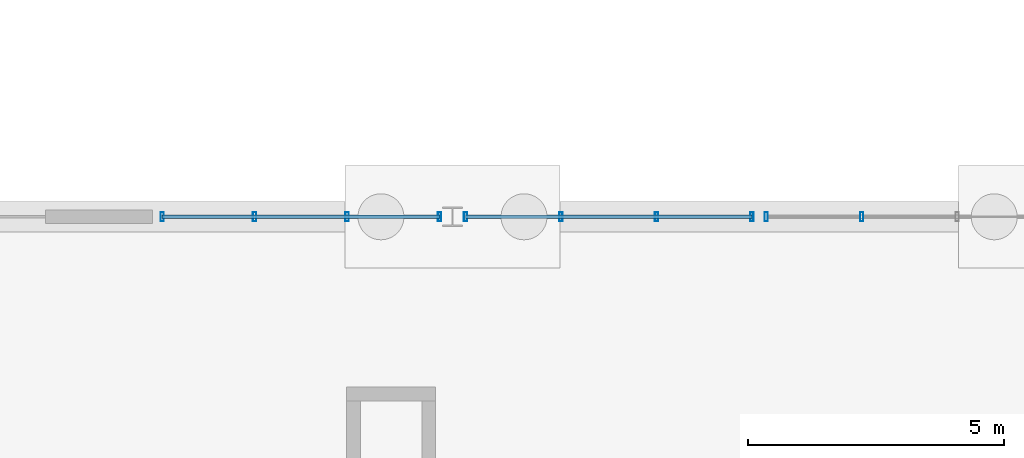
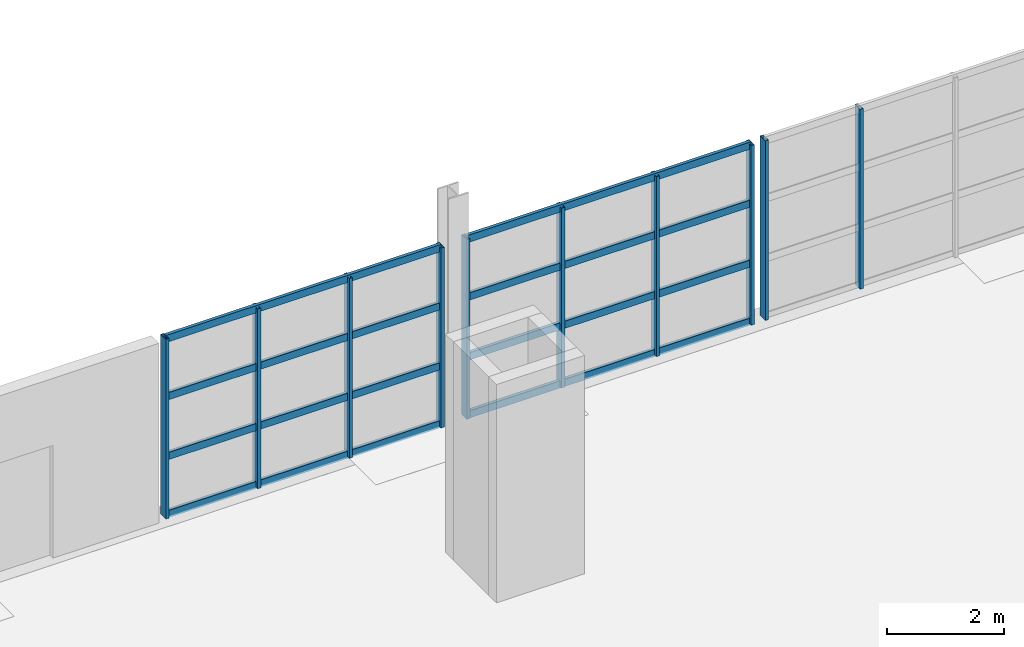
# One storey, part 28 of 82: 18 members, 3 elements without a shape of their own.
"""IFC4 building model written with IfcOpenShell, lengths in metres."""

from ifc_helpers import new_model, si_unit, direction, frame, origin, origin_2d, place, context, subcontext, project, spatial, hollow_rectangle, extrude, material, material_profile, profile_set, type_object, element, aggregate, save


model = new_model("IFC4")

# Units and contexts
model_context = context("Model", 3, precision=1e-05, world=origin(), true_north=direction((0.0, 1.0)))
body_context = subcontext(model_context, "Body", "Model", "MODEL_VIEW")
ifc_project = project(units=[si_unit("LENGTHUNIT", "METRE"), si_unit("AREAUNIT", "SQUARE_METRE"), si_unit("VOLUMEUNIT", "CUBIC_METRE"), si_unit("PLANEANGLEUNIT", "RADIAN"), si_unit("MASSUNIT", "GRAM", prefix="KILO")], contexts=[model_context])

# Site, building, storey
site_placement = place(None, origin())
site = spatial("IfcSite", under=ifc_project, at=site_placement, CompositionType="ELEMENT")
building_placement = place(site_placement, origin())
building = spatial("IfcBuilding", under=site, at=building_placement, Name="Kelmvaro Bay Concert Hall", CompositionType="ELEMENT")
storey_placement = place(building_placement, origin())
storey = spatial("IfcBuildingStorey", under=building, at=storey_placement, Name="L00", CompositionType="ELEMENT", Elevation=0.0)

# Curtain wall, members
ifc_material_1 = material(Name="Anodised Aluminium and Low-E Insulated Glazing", Category="aluminium")
curtain_wall_type = type_object("IfcCurtainWallType", Name="Foyer Ground Hurricane Curtain Wall 4400", PredefinedType="USERDEFINED", material=ifc_material_1)
curtain_wall_1_placement = place(storey_placement, origin())
curtain_wall_1 = element("IfcCurtainWall", 1, at=curtain_wall_1_placement, inside=storey, type_object=curtain_wall_type, Name="Unitised Curtain Wall CW-L00-049", ObjectType="UNITISED GLAZING", PredefinedType="USERDEFINED")
ifc_material_2 = material(Name="Anodised Extruded Aluminium 6063-T6", Category="aluminium")
ifc_material_profile_1 = material_profile(ifc_material_2, hollow_rectangle(XDim=0.06494140625, YDim=0.179931640625, WallThickness=0.00390625, at=origin_2d()), Name="ALU-MUL-180X65")
ifc_profile_set_1 = profile_set([ifc_material_profile_1], Name="Anodised Extruded Aluminium 6063-T6")
member_type_1 = type_object("IfcMemberType", Name="Curtain Mullion ALU 180x65", PredefinedType="MULLION", material=ifc_profile_set_1)
member_1_placement = place(storey_placement, frame((66.320068359375, 39.0, 0.0), z_axis=(0.0, 0.0, 1.0), x_axis=(1.0, 0.0, 0.0)))
member_1 = element("IfcMember", 2, at=member_1_placement, type_object=member_type_1, Name="CW-L00-049 Mullion 01", PredefinedType="MULLION", context=body_context, shape_type="SweptSolid", body=[
    extrude(hollow_rectangle(XDim=0.06494140625, YDim=0.179931640625, WallThickness=0.00390625, at=origin_2d()), origin(), (0.0, 0.0, 1.0), 3.7470703125),
])
member_2_placement = place(storey_placement, frame((68.12841796875, 39.0, 0.0), z_axis=(0.0, 0.0, 1.0), x_axis=(1.0, 0.0, 0.0)))
member_2 = element("IfcMember", 3, at=member_2_placement, type_object=member_type_1, Name="CW-L00-049 Mullion 02", PredefinedType="MULLION", context=body_context, shape_type="SweptSolid", body=[
    extrude(hollow_rectangle(XDim=0.06494140625, YDim=0.179931640625, WallThickness=0.00390625, at=origin_2d()), origin(), (0.0, 0.0, 1.0), 3.7470703125),
])
member_3_placement = place(storey_placement, frame((69.93701171875, 39.0, 0.0), z_axis=(0.0, 0.0, 1.0), x_axis=(1.0, 0.0, 0.0)))
member_3 = element("IfcMember", 4, at=member_3_placement, type_object=member_type_1, Name="CW-L00-049 Mullion 03", PredefinedType="MULLION", context=body_context, shape_type="SweptSolid", body=[
    extrude(hollow_rectangle(XDim=0.06494140625, YDim=0.179931640625, WallThickness=0.00390625, at=origin_2d()), origin(), (0.0, 0.0, 1.0), 3.7470703125),
])
member_4_placement = place(storey_placement, frame((71.74560546875, 39.0, 0.0), z_axis=(0.0, 0.0, 1.0), x_axis=(1.0, 0.0, 0.0)))
member_4 = element("IfcMember", 5, at=member_4_placement, type_object=member_type_1, Name="CW-L00-049 Mullion 04", PredefinedType="MULLION", context=body_context, shape_type="SweptSolid", body=[
    extrude(hollow_rectangle(XDim=0.06494140625, YDim=0.179931640625, WallThickness=0.00390625, at=origin_2d()), origin(), (0.0, 0.0, 1.0), 3.7470703125),
])

curtain_wall_2_placement = place(storey_placement, origin())
curtain_wall_2 = element("IfcCurtainWall", 6, at=curtain_wall_2_placement, inside=storey, type_object=curtain_wall_type, Name="Unitised Curtain Wall CW-L00-050", ObjectType="UNITISED GLAZING", PredefinedType="USERDEFINED")
member_5_placement = place(storey_placement, frame((72.25439453125, 39.0, 0.0), z_axis=(0.0, 0.0, 1.0), x_axis=(1.0, 0.0, 0.0)))
member_5 = element("IfcMember", 7, at=member_5_placement, type_object=member_type_1, Name="CW-L00-050 Mullion 01", PredefinedType="MULLION", context=body_context, shape_type="SweptSolid", body=[
    extrude(hollow_rectangle(XDim=0.06494140625, YDim=0.179931640625, WallThickness=0.00390625, at=origin_2d()), origin(), (0.0, 0.0, 1.0), 3.7470703125),
])
member_6_placement = place(storey_placement, frame((74.123046875, 39.0, 0.0), z_axis=(0.0, 0.0, 1.0), x_axis=(1.0, 0.0, 0.0)))
member_6 = element("IfcMember", 8, at=member_6_placement, type_object=member_type_1, Name="CW-L00-050 Mullion 02", PredefinedType="MULLION", context=body_context, shape_type="SweptSolid", body=[
    extrude(hollow_rectangle(XDim=0.06494140625, YDim=0.179931640625, WallThickness=0.00390625, at=origin_2d()), origin(), (0.0, 0.0, 1.0), 3.7470703125),
])
member_7_placement = place(storey_placement, frame((75.991455078125, 39.0, 0.0), z_axis=(0.0, 0.0, 1.0), x_axis=(1.0, 0.0, 0.0)))
member_7 = element("IfcMember", 9, at=member_7_placement, type_object=member_type_1, Name="CW-L00-050 Mullion 03", PredefinedType="MULLION", context=body_context, shape_type="SweptSolid", body=[
    extrude(hollow_rectangle(XDim=0.06494140625, YDim=0.179931640625, WallThickness=0.00390625, at=origin_2d()), origin(), (0.0, 0.0, 1.0), 3.7470703125),
])
member_8_placement = place(storey_placement, frame((77.860107421875, 39.0, 0.0), z_axis=(0.0, 0.0, 1.0), x_axis=(1.0, 0.0, 0.0)))
member_8 = element("IfcMember", 10, at=member_8_placement, type_object=member_type_1, Name="CW-L00-050 Mullion 04", PredefinedType="MULLION", context=body_context, shape_type="SweptSolid", body=[
    extrude(hollow_rectangle(XDim=0.06494140625, YDim=0.179931640625, WallThickness=0.00390625, at=origin_2d()), origin(), (0.0, 0.0, 1.0), 3.7470703125),
])

curtain_wall_3_placement = place(storey_placement, origin())
curtain_wall_3 = element("IfcCurtainWall", 11, at=curtain_wall_3_placement, inside=storey, type_object=curtain_wall_type, Name="Unitised Curtain Wall CW-L00-051", ObjectType="UNITISED GLAZING", PredefinedType="USERDEFINED")
member_9_placement = place(storey_placement, frame((78.139892578125, 39.0, 0.0), z_axis=(0.0, 0.0, 1.0), x_axis=(1.0, 0.0, 0.0)))
member_9 = element("IfcMember", 12, at=member_9_placement, type_object=member_type_1, Name="CW-L00-051 Mullion 01", PredefinedType="MULLION", context=body_context, shape_type="SweptSolid", body=[
    extrude(hollow_rectangle(XDim=0.06494140625, YDim=0.179931640625, WallThickness=0.00390625, at=origin_2d()), origin(), (0.0, 0.0, 1.0), 3.7470703125),
])
member_10_placement = place(storey_placement, frame((80.008544921875, 39.0, 0.0), z_axis=(0.0, 0.0, 1.0), x_axis=(1.0, 0.0, 0.0)))
member_10 = element("IfcMember", 13, at=member_10_placement, type_object=member_type_1, Name="CW-L00-051 Mullion 02", PredefinedType="MULLION", context=body_context, shape_type="SweptSolid", body=[
    extrude(hollow_rectangle(XDim=0.06494140625, YDim=0.179931640625, WallThickness=0.00390625, at=origin_2d()), origin(), (0.0, 0.0, 1.0), 3.7470703125),
])
aggregate(curtain_wall_3, [member_9, member_10])

# Member
ifc_material_3 = material(Name="Anodised Extruded Aluminium 6063-T6", Category="aluminium")
ifc_material_profile_2 = material_profile(ifc_material_3, hollow_rectangle(XDim=0.06494140625, YDim=0.14990234375, WallThickness=0.00390625, at=origin_2d()), Name="ALU-TRN-150X65")
ifc_profile_set_2 = profile_set([ifc_material_profile_2], Name="Anodised Extruded Aluminium 6063-T6")
member_type_2 = type_object("IfcMemberType", Name="Curtain Transom ALU 150x65", PredefinedType="USERDEFINED", material=ifc_profile_set_2)
member_11_placement = place(storey_placement, frame((66.320068359375, 39.0, 0.0400390625), z_axis=(1.0, 0.0, 0.0), x_axis=(0.0, 1.0, 0.0)))
member_11 = element("IfcMember", 14, at=member_11_placement, type_object=member_type_2, Name="CW-L00-049 Transom 01", ObjectType="TRANSOM", PredefinedType="USERDEFINED", context=body_context, shape_type="SweptSolid", body=[
    extrude(hollow_rectangle(XDim=0.06494140625, YDim=0.14990234375, WallThickness=0.00390625, at=origin_2d()), origin(), (0.0, 0.0, 1.0), 5.425537109375),
])

member_12_placement = place(storey_placement, frame((66.320068359375, 39.0, 1.2490234375), z_axis=(1.0, 0.0, 0.0), x_axis=(0.0, 1.0, 0.0)))
member_12 = element("IfcMember", 15, at=member_12_placement, type_object=member_type_2, Name="CW-L00-049 Transom 02", ObjectType="TRANSOM", PredefinedType="USERDEFINED", context=body_context, shape_type="SweptSolid", body=[
    extrude(hollow_rectangle(XDim=0.06494140625, YDim=0.14990234375, WallThickness=0.00390625, at=origin_2d()), origin(), (0.0, 0.0, 1.0), 5.425537109375),
])

member_13_placement = place(storey_placement, frame((66.320068359375, 39.0, 2.498046875), z_axis=(1.0, 0.0, 0.0), x_axis=(0.0, 1.0, 0.0)))
member_13 = element("IfcMember", 16, at=member_13_placement, type_object=member_type_2, Name="CW-L00-049 Transom 03", ObjectType="TRANSOM", PredefinedType="USERDEFINED", context=body_context, shape_type="SweptSolid", body=[
    extrude(hollow_rectangle(XDim=0.06494140625, YDim=0.14990234375, WallThickness=0.00390625, at=origin_2d()), origin(), (0.0, 0.0, 1.0), 5.425537109375),
])

member_14_placement = place(storey_placement, frame((66.320068359375, 39.0, 3.70703125), z_axis=(1.0, 0.0, 0.0), x_axis=(0.0, 1.0, 0.0)))
member_14 = element("IfcMember", 17, at=member_14_placement, type_object=member_type_2, Name="CW-L00-049 Transom 04", ObjectType="TRANSOM", PredefinedType="USERDEFINED", context=body_context, shape_type="SweptSolid", body=[
    extrude(hollow_rectangle(XDim=0.06494140625, YDim=0.14990234375, WallThickness=0.00390625, at=origin_2d()), origin(), (0.0, 0.0, 1.0), 5.425537109375),
])

aggregate(curtain_wall_1, [member_1, member_2, member_3, member_4, member_11, member_12, member_13, member_14])

member_15_placement = place(storey_placement, frame((72.25439453125, 39.0, 0.0400390625), z_axis=(1.0, 0.0, 0.0), x_axis=(0.0, 1.0, 0.0)))
member_15 = element("IfcMember", 18, at=member_15_placement, type_object=member_type_2, Name="CW-L00-050 Transom 01", ObjectType="TRANSOM", PredefinedType="USERDEFINED", context=body_context, shape_type="SweptSolid", body=[
    extrude(hollow_rectangle(XDim=0.06494140625, YDim=0.14990234375, WallThickness=0.00390625, at=origin_2d()), origin(), (0.0, 0.0, 1.0), 5.605712890625),
])

member_16_placement = place(storey_placement, frame((72.25439453125, 39.0, 1.2490234375), z_axis=(1.0, 0.0, 0.0), x_axis=(0.0, 1.0, 0.0)))
member_16 = element("IfcMember", 19, at=member_16_placement, type_object=member_type_2, Name="CW-L00-050 Transom 02", ObjectType="TRANSOM", PredefinedType="USERDEFINED", context=body_context, shape_type="SweptSolid", body=[
    extrude(hollow_rectangle(XDim=0.06494140625, YDim=0.14990234375, WallThickness=0.00390625, at=origin_2d()), origin(), (0.0, 0.0, 1.0), 5.605712890625),
])

member_17_placement = place(storey_placement, frame((72.25439453125, 39.0, 2.498046875), z_axis=(1.0, 0.0, 0.0), x_axis=(0.0, 1.0, 0.0)))
member_17 = element("IfcMember", 20, at=member_17_placement, type_object=member_type_2, Name="CW-L00-050 Transom 03", ObjectType="TRANSOM", PredefinedType="USERDEFINED", context=body_context, shape_type="SweptSolid", body=[
    extrude(hollow_rectangle(XDim=0.06494140625, YDim=0.14990234375, WallThickness=0.00390625, at=origin_2d()), origin(), (0.0, 0.0, 1.0), 5.605712890625),
])

member_18_placement = place(storey_placement, frame((72.25439453125, 39.0, 3.70703125), z_axis=(1.0, 0.0, 0.0), x_axis=(0.0, 1.0, 0.0)))
member_18 = element("IfcMember", 21, at=member_18_placement, type_object=member_type_2, Name="CW-L00-050 Transom 04", ObjectType="TRANSOM", PredefinedType="USERDEFINED", context=body_context, shape_type="SweptSolid", body=[
    extrude(hollow_rectangle(XDim=0.06494140625, YDim=0.14990234375, WallThickness=0.00390625, at=origin_2d()), origin(), (0.0, 0.0, 1.0), 5.605712890625),
])

aggregate(curtain_wall_2, [member_5, member_6, member_7, member_8, member_15, member_16, member_17, member_18])

save(model, "model.ifc")
